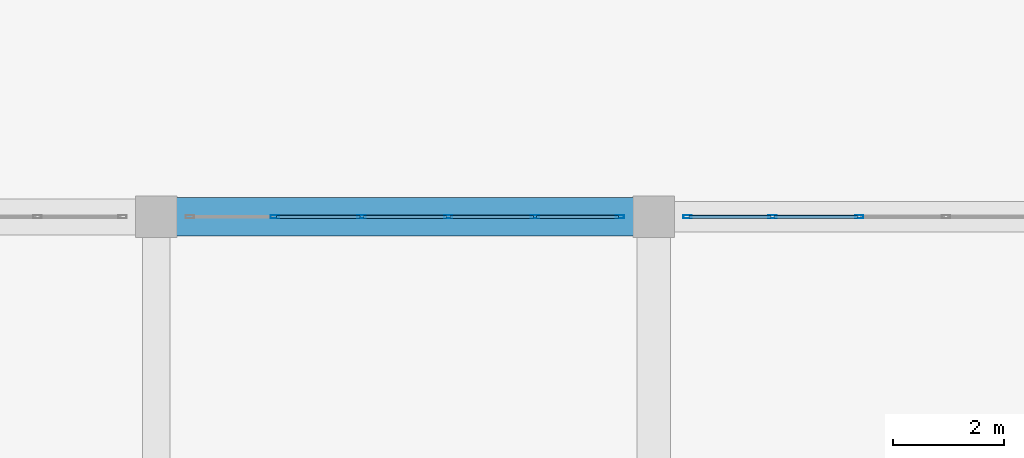
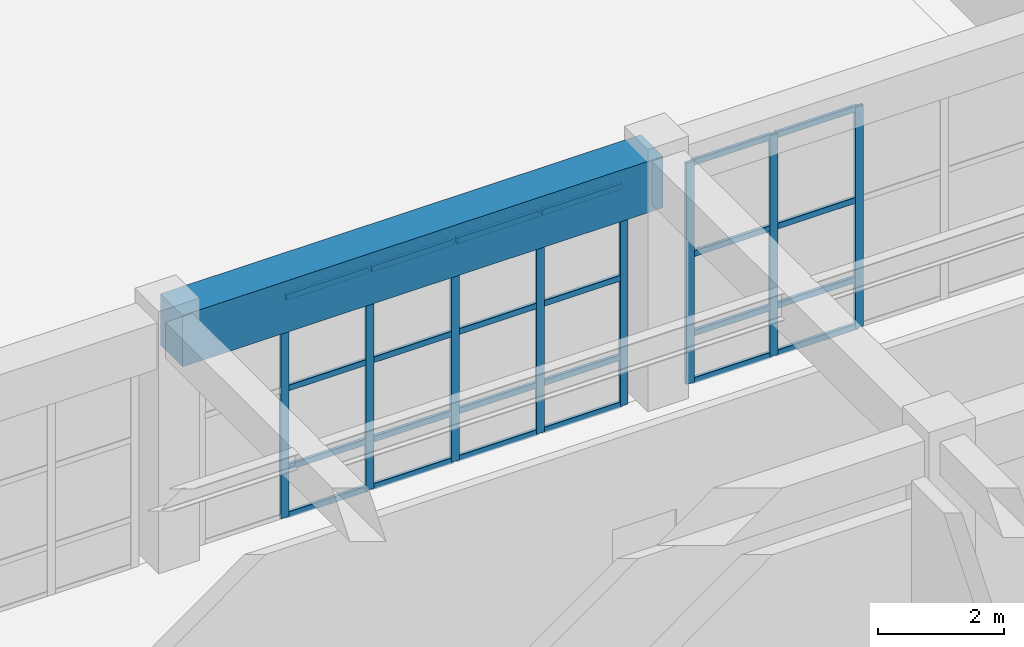
# One storey, part 78 of 128: 32 members, 1 beam, 2 elements without a shape of their own.
"""IFC4 building model written with IfcOpenShell, lengths in metres."""

from ifc_helpers import new_model, si_unit, direction, frame, origin, origin_2d, place, context, subcontext, project, spatial, rectangle, hollow_rectangle, extrude, material, material_profile, profile_set, type_object, element, aggregate, save


model = new_model("IFC4")

# Units and contexts
model_context = context("Model", 3, precision=1e-05, world=origin(), true_north=direction((0.0, 1.0)))
body_context = subcontext(model_context, "Body", "Model", "MODEL_VIEW")
ifc_project = project(units=[si_unit("LENGTHUNIT", "METRE"), si_unit("AREAUNIT", "SQUARE_METRE"), si_unit("VOLUMEUNIT", "CUBIC_METRE"), si_unit("PLANEANGLEUNIT", "RADIAN"), si_unit("MASSUNIT", "GRAM", prefix="KILO")], contexts=[model_context])

# Site, building, storey
site_placement = place(None, origin())
site = spatial("IfcSite", under=ifc_project, at=site_placement, CompositionType="ELEMENT")
building_placement = place(site_placement, origin())
building = spatial("IfcBuilding", under=site, at=building_placement, Name="Miravela Opera House", CompositionType="ELEMENT")
storey_placement = place(building_placement, origin())
storey = spatial("IfcBuildingStorey", under=building, at=storey_placement, Name="L00", CompositionType="ELEMENT", Elevation=0.0)

# Curtain wall, members
ifc_material_1 = material(Name="Anodised architectural bronze aluminium 6063-T6", Category="aluminium")
curtain_wall_type = type_object("IfcCurtainWallType", Name="ARC-CW-05", PredefinedType="NOTDEFINED", material=ifc_material_1)
curtain_wall_1_placement = place(storey_placement, origin())
curtain_wall_1 = element("IfcCurtainWall", 1, at=curtain_wall_1_placement, inside=storey, type_object=curtain_wall_type, Name="Courtyard Arcade Curtain Wall CW-L00-160", PredefinedType="NOTDEFINED")
ifc_material_profile_1 = material_profile(ifc_material_1, hollow_rectangle(XDim=0.06005859375, YDim=0.14990234375, WallThickness=0.00390625, InnerFilletRadius=0.001953125, OuterFilletRadius=0.00390625, at=origin_2d()), Name="CWM-60X150")
ifc_profile_set_1 = profile_set([ifc_material_profile_1])
member_type_1 = type_object("IfcMemberType", Name="ARC-CWM-150", PredefinedType="MULLION", material=ifc_profile_set_1)
member_1_placement = place(storey_placement, frame((128.14794921875, 84.0, 0.0), z_axis=(0.0, 0.0, 1.0), x_axis=(0.0, 1.0, 0.0)))
member_1 = element("IfcMember", 2, at=member_1_placement, type_object=member_type_1, Name="CW-05 mullion 2", PredefinedType="MULLION", context=body_context, shape_type="SweptSolid", body=[
    extrude(hollow_rectangle(XDim=0.06005859375, YDim=0.14990234375, WallThickness=0.00390625, InnerFilletRadius=0.001953125, OuterFilletRadius=0.00390625, at=origin_2d()), origin(), (0.0, 0.0, 1.0), 4.300048828125),
])
member_2_placement = place(storey_placement, frame((129.716064453125, 84.0, 0.0), z_axis=(0.0, 0.0, 1.0), x_axis=(0.0, 1.0, 0.0)))
member_2 = element("IfcMember", 3, at=member_2_placement, type_object=member_type_1, Name="CW-05 mullion 3", PredefinedType="MULLION", context=body_context, shape_type="SweptSolid", body=[
    extrude(hollow_rectangle(XDim=0.06005859375, YDim=0.14990234375, WallThickness=0.00390625, InnerFilletRadius=0.001953125, OuterFilletRadius=0.00390625, at=origin_2d()), origin(), (0.0, 0.0, 1.0), 4.300048828125),
])
member_3_placement = place(storey_placement, frame((131.283935546875, 84.0, 0.0), z_axis=(0.0, 0.0, 1.0), x_axis=(0.0, 1.0, 0.0)))
member_3 = element("IfcMember", 4, at=member_3_placement, type_object=member_type_1, Name="CW-05 mullion 4", PredefinedType="MULLION", context=body_context, shape_type="SweptSolid", body=[
    extrude(hollow_rectangle(XDim=0.06005859375, YDim=0.14990234375, WallThickness=0.00390625, InnerFilletRadius=0.001953125, OuterFilletRadius=0.00390625, at=origin_2d()), origin(), (0.0, 0.0, 1.0), 4.300048828125),
])
member_4_placement = place(storey_placement, frame((132.85205078125, 84.0, 0.0), z_axis=(0.0, 0.0, 1.0), x_axis=(0.0, 1.0, 0.0)))
member_4 = element("IfcMember", 5, at=member_4_placement, type_object=member_type_1, Name="CW-05 mullion 5", PredefinedType="MULLION", context=body_context, shape_type="SweptSolid", body=[
    extrude(hollow_rectangle(XDim=0.06005859375, YDim=0.14990234375, WallThickness=0.00390625, InnerFilletRadius=0.001953125, OuterFilletRadius=0.00390625, at=origin_2d()), origin(), (0.0, 0.0, 1.0), 4.300048828125),
])
member_5_placement = place(storey_placement, frame((134.389892578125, 84.0, 0.0), z_axis=(0.0, 0.0, 1.0), x_axis=(0.0, 1.0, 0.0)))
member_5 = element("IfcMember", 6, at=member_5_placement, type_object=member_type_1, Name="CW-05 mullion 6", PredefinedType="MULLION", context=body_context, shape_type="SweptSolid", body=[
    extrude(hollow_rectangle(XDim=0.06005859375, YDim=0.14990234375, WallThickness=0.00390625, InnerFilletRadius=0.001953125, OuterFilletRadius=0.00390625, at=origin_2d()), origin(), (0.0, 0.0, 1.0), 4.300048828125),
])

curtain_wall_2_placement = place(storey_placement, origin())
curtain_wall_2 = element("IfcCurtainWall", 7, at=curtain_wall_2_placement, inside=storey, type_object=curtain_wall_type, Name="Courtyard Arcade Curtain Wall CW-L00-164", PredefinedType="NOTDEFINED")
member_6_placement = place(storey_placement, frame((135.610107421875, 84.0, 0.0), z_axis=(0.0, 0.0, 1.0), x_axis=(0.0, 1.0, 0.0)))
member_6 = element("IfcMember", 8, at=member_6_placement, type_object=member_type_1, Name="CW-05 mullion 1", PredefinedType="MULLION", context=body_context, shape_type="SweptSolid", body=[
    extrude(hollow_rectangle(XDim=0.06005859375, YDim=0.14990234375, WallThickness=0.00390625, InnerFilletRadius=0.001953125, OuterFilletRadius=0.00390625, at=origin_2d()), origin(), (0.0, 0.0, 1.0), 4.300048828125),
])
member_7_placement = place(storey_placement, frame((137.14794921875, 84.0, 0.0), z_axis=(0.0, 0.0, 1.0), x_axis=(0.0, 1.0, 0.0)))
member_7 = element("IfcMember", 9, at=member_7_placement, type_object=member_type_1, Name="CW-05 mullion 2", PredefinedType="MULLION", context=body_context, shape_type="SweptSolid", body=[
    extrude(hollow_rectangle(XDim=0.06005859375, YDim=0.14990234375, WallThickness=0.00390625, InnerFilletRadius=0.001953125, OuterFilletRadius=0.00390625, at=origin_2d()), origin(), (0.0, 0.0, 1.0), 4.300048828125),
])
member_8_placement = place(storey_placement, frame((138.716064453125, 84.0, 0.0), z_axis=(0.0, 0.0, 1.0), x_axis=(0.0, 1.0, 0.0)))
member_8 = element("IfcMember", 10, at=member_8_placement, type_object=member_type_1, Name="CW-05 mullion 3", PredefinedType="MULLION", context=body_context, shape_type="SweptSolid", body=[
    extrude(hollow_rectangle(XDim=0.06005859375, YDim=0.14990234375, WallThickness=0.00390625, InnerFilletRadius=0.001953125, OuterFilletRadius=0.00390625, at=origin_2d()), origin(), (0.0, 0.0, 1.0), 4.300048828125),
])

# Member
ifc_material_profile_2 = material_profile(ifc_material_1, hollow_rectangle(XDim=0.06005859375, YDim=0.114990234375, WallThickness=0.00390625, InnerFilletRadius=0.001953125, OuterFilletRadius=0.00390625, at=origin_2d()), Name="CWT-60X115")
ifc_profile_set_2 = profile_set([ifc_material_profile_2])
member_type_2 = type_object("IfcMemberType", Name="ARC-CWT-115", PredefinedType="USERDEFINED", material=ifc_profile_set_2)
member_9_placement = place(storey_placement, frame((128.177978515625, 84.0, 0.030029296875), z_axis=(1.0, 0.0, 0.0), x_axis=(0.0, 1.0, 0.0)))
member_9 = element("IfcMember", 11, at=member_9_placement, type_object=member_type_2, Name="CW-05 transom 2.1", ObjectType="TRANSOM", PredefinedType="USERDEFINED", context=body_context, shape_type="SweptSolid", body=[
    extrude(hollow_rectangle(XDim=0.06005859375, YDim=0.114990234375, WallThickness=0.00390625, InnerFilletRadius=0.001953125, OuterFilletRadius=0.00390625, at=origin_2d()), origin(), (0.0, 0.0, 1.0), 1.508056640625),
])

member_10_placement = place(storey_placement, frame((128.177978515625, 84.0, 0.949951171875), z_axis=(1.0, 0.0, 0.0), x_axis=(0.0, 1.0, 0.0)))
member_10 = element("IfcMember", 12, at=member_10_placement, type_object=member_type_2, Name="CW-05 transom 2.2", ObjectType="TRANSOM", PredefinedType="USERDEFINED", context=body_context, shape_type="SweptSolid", body=[
    extrude(hollow_rectangle(XDim=0.06005859375, YDim=0.114990234375, WallThickness=0.00390625, InnerFilletRadius=0.001953125, OuterFilletRadius=0.00390625, at=origin_2d()), origin(), (0.0, 0.0, 1.0), 1.508056640625),
])

member_11_placement = place(storey_placement, frame((128.177978515625, 84.0, 2.493896484375), z_axis=(1.0, 0.0, 0.0), x_axis=(0.0, 1.0, 0.0)))
member_11 = element("IfcMember", 13, at=member_11_placement, type_object=member_type_2, Name="CW-05 transom 2.3", ObjectType="TRANSOM", PredefinedType="USERDEFINED", context=body_context, shape_type="SweptSolid", body=[
    extrude(hollow_rectangle(XDim=0.06005859375, YDim=0.114990234375, WallThickness=0.00390625, InnerFilletRadius=0.001953125, OuterFilletRadius=0.00390625, at=origin_2d()), origin(), (0.0, 0.0, 1.0), 1.508056640625),
])

member_12_placement = place(storey_placement, frame((128.177978515625, 84.0, 4.27001953125), z_axis=(1.0, 0.0, 0.0), x_axis=(0.0, 1.0, 0.0)))
member_12 = element("IfcMember", 14, at=member_12_placement, type_object=member_type_2, Name="CW-05 transom 2.4", ObjectType="TRANSOM", PredefinedType="USERDEFINED", context=body_context, shape_type="SweptSolid", body=[
    extrude(hollow_rectangle(XDim=0.06005859375, YDim=0.114990234375, WallThickness=0.00390625, InnerFilletRadius=0.001953125, OuterFilletRadius=0.00390625, at=origin_2d()), origin(), (0.0, 0.0, 1.0), 1.508056640625),
])

member_13_placement = place(storey_placement, frame((129.74609375, 84.0, 0.030029296875), z_axis=(1.0, 0.0, 0.0), x_axis=(0.0, 1.0, 0.0)))
member_13 = element("IfcMember", 15, at=member_13_placement, type_object=member_type_2, Name="CW-05 transom 3.1", ObjectType="TRANSOM", PredefinedType="USERDEFINED", context=body_context, shape_type="SweptSolid", body=[
    extrude(hollow_rectangle(XDim=0.06005859375, YDim=0.114990234375, WallThickness=0.00390625, InnerFilletRadius=0.001953125, OuterFilletRadius=0.00390625, at=origin_2d()), origin(), (0.0, 0.0, 1.0), 1.5078125),
])

member_14_placement = place(storey_placement, frame((129.74609375, 84.0, 0.949951171875), z_axis=(1.0, 0.0, 0.0), x_axis=(0.0, 1.0, 0.0)))
member_14 = element("IfcMember", 16, at=member_14_placement, type_object=member_type_2, Name="CW-05 transom 3.2", ObjectType="TRANSOM", PredefinedType="USERDEFINED", context=body_context, shape_type="SweptSolid", body=[
    extrude(hollow_rectangle(XDim=0.06005859375, YDim=0.114990234375, WallThickness=0.00390625, InnerFilletRadius=0.001953125, OuterFilletRadius=0.00390625, at=origin_2d()), origin(), (0.0, 0.0, 1.0), 1.5078125),
])

member_15_placement = place(storey_placement, frame((129.74609375, 84.0, 2.493896484375), z_axis=(1.0, 0.0, 0.0), x_axis=(0.0, 1.0, 0.0)))
member_15 = element("IfcMember", 17, at=member_15_placement, type_object=member_type_2, Name="CW-05 transom 3.3", ObjectType="TRANSOM", PredefinedType="USERDEFINED", context=body_context, shape_type="SweptSolid", body=[
    extrude(hollow_rectangle(XDim=0.06005859375, YDim=0.114990234375, WallThickness=0.00390625, InnerFilletRadius=0.001953125, OuterFilletRadius=0.00390625, at=origin_2d()), origin(), (0.0, 0.0, 1.0), 1.5078125),
])

member_16_placement = place(storey_placement, frame((129.74609375, 84.0, 4.27001953125), z_axis=(1.0, 0.0, 0.0), x_axis=(0.0, 1.0, 0.0)))
member_16 = element("IfcMember", 18, at=member_16_placement, type_object=member_type_2, Name="CW-05 transom 3.4", ObjectType="TRANSOM", PredefinedType="USERDEFINED", context=body_context, shape_type="SweptSolid", body=[
    extrude(hollow_rectangle(XDim=0.06005859375, YDim=0.114990234375, WallThickness=0.00390625, InnerFilletRadius=0.001953125, OuterFilletRadius=0.00390625, at=origin_2d()), origin(), (0.0, 0.0, 1.0), 1.5078125),
])

member_17_placement = place(storey_placement, frame((131.31396484375, 84.0, 0.030029296875), z_axis=(1.0, 0.0, 0.0), x_axis=(0.0, 1.0, 0.0)))
member_17 = element("IfcMember", 19, at=member_17_placement, type_object=member_type_2, Name="CW-05 transom 4.1", ObjectType="TRANSOM", PredefinedType="USERDEFINED", context=body_context, shape_type="SweptSolid", body=[
    extrude(hollow_rectangle(XDim=0.06005859375, YDim=0.114990234375, WallThickness=0.00390625, InnerFilletRadius=0.001953125, OuterFilletRadius=0.00390625, at=origin_2d()), origin(), (0.0, 0.0, 1.0), 1.508056640625),
])

member_18_placement = place(storey_placement, frame((131.31396484375, 84.0, 0.949951171875), z_axis=(1.0, 0.0, 0.0), x_axis=(0.0, 1.0, 0.0)))
member_18 = element("IfcMember", 20, at=member_18_placement, type_object=member_type_2, Name="CW-05 transom 4.2", ObjectType="TRANSOM", PredefinedType="USERDEFINED", context=body_context, shape_type="SweptSolid", body=[
    extrude(hollow_rectangle(XDim=0.06005859375, YDim=0.114990234375, WallThickness=0.00390625, InnerFilletRadius=0.001953125, OuterFilletRadius=0.00390625, at=origin_2d()), origin(), (0.0, 0.0, 1.0), 1.508056640625),
])

member_19_placement = place(storey_placement, frame((131.31396484375, 84.0, 2.493896484375), z_axis=(1.0, 0.0, 0.0), x_axis=(0.0, 1.0, 0.0)))
member_19 = element("IfcMember", 21, at=member_19_placement, type_object=member_type_2, Name="CW-05 transom 4.3", ObjectType="TRANSOM", PredefinedType="USERDEFINED", context=body_context, shape_type="SweptSolid", body=[
    extrude(hollow_rectangle(XDim=0.06005859375, YDim=0.114990234375, WallThickness=0.00390625, InnerFilletRadius=0.001953125, OuterFilletRadius=0.00390625, at=origin_2d()), origin(), (0.0, 0.0, 1.0), 1.508056640625),
])

member_20_placement = place(storey_placement, frame((131.31396484375, 84.0, 4.27001953125), z_axis=(1.0, 0.0, 0.0), x_axis=(0.0, 1.0, 0.0)))
member_20 = element("IfcMember", 22, at=member_20_placement, type_object=member_type_2, Name="CW-05 transom 4.4", ObjectType="TRANSOM", PredefinedType="USERDEFINED", context=body_context, shape_type="SweptSolid", body=[
    extrude(hollow_rectangle(XDim=0.06005859375, YDim=0.114990234375, WallThickness=0.00390625, InnerFilletRadius=0.001953125, OuterFilletRadius=0.00390625, at=origin_2d()), origin(), (0.0, 0.0, 1.0), 1.508056640625),
])

member_21_placement = place(storey_placement, frame((132.882080078125, 84.0, 0.030029296875), z_axis=(1.0, 0.0, 0.0), x_axis=(0.0, 1.0, 0.0)))
member_21 = element("IfcMember", 23, at=member_21_placement, type_object=member_type_2, Name="CW-05 transom 5.1", ObjectType="TRANSOM", PredefinedType="USERDEFINED", context=body_context, shape_type="SweptSolid", body=[
    extrude(hollow_rectangle(XDim=0.06005859375, YDim=0.114990234375, WallThickness=0.00390625, InnerFilletRadius=0.001953125, OuterFilletRadius=0.00390625, at=origin_2d()), origin(), (0.0, 0.0, 1.0), 1.47802734375),
])

member_22_placement = place(storey_placement, frame((132.882080078125, 84.0, 0.949951171875), z_axis=(1.0, 0.0, 0.0), x_axis=(0.0, 1.0, 0.0)))
member_22 = element("IfcMember", 24, at=member_22_placement, type_object=member_type_2, Name="CW-05 transom 5.2", ObjectType="TRANSOM", PredefinedType="USERDEFINED", context=body_context, shape_type="SweptSolid", body=[
    extrude(hollow_rectangle(XDim=0.06005859375, YDim=0.114990234375, WallThickness=0.00390625, InnerFilletRadius=0.001953125, OuterFilletRadius=0.00390625, at=origin_2d()), origin(), (0.0, 0.0, 1.0), 1.47802734375),
])

member_23_placement = place(storey_placement, frame((132.882080078125, 84.0, 2.493896484375), z_axis=(1.0, 0.0, 0.0), x_axis=(0.0, 1.0, 0.0)))
member_23 = element("IfcMember", 25, at=member_23_placement, type_object=member_type_2, Name="CW-05 transom 5.3", ObjectType="TRANSOM", PredefinedType="USERDEFINED", context=body_context, shape_type="SweptSolid", body=[
    extrude(hollow_rectangle(XDim=0.06005859375, YDim=0.114990234375, WallThickness=0.00390625, InnerFilletRadius=0.001953125, OuterFilletRadius=0.00390625, at=origin_2d()), origin(), (0.0, 0.0, 1.0), 1.47802734375),
])

member_24_placement = place(storey_placement, frame((132.882080078125, 84.0, 4.27001953125), z_axis=(1.0, 0.0, 0.0), x_axis=(0.0, 1.0, 0.0)))
member_24 = element("IfcMember", 26, at=member_24_placement, type_object=member_type_2, Name="CW-05 transom 5.4", ObjectType="TRANSOM", PredefinedType="USERDEFINED", context=body_context, shape_type="SweptSolid", body=[
    extrude(hollow_rectangle(XDim=0.06005859375, YDim=0.114990234375, WallThickness=0.00390625, InnerFilletRadius=0.001953125, OuterFilletRadius=0.00390625, at=origin_2d()), origin(), (0.0, 0.0, 1.0), 1.47802734375),
])

aggregate(curtain_wall_1, [member_1, member_2, member_3, member_4, member_5, member_9, member_10, member_11, member_12, member_13, member_14, member_15, member_16, member_17, member_18, member_19, member_20, member_21, member_22, member_23, member_24])

member_25_placement = place(storey_placement, frame((135.639892578125, 84.0, 0.030029296875), z_axis=(1.0, 0.0, 0.0), x_axis=(0.0, 1.0, 0.0)))
member_25 = element("IfcMember", 27, at=member_25_placement, type_object=member_type_2, Name="CW-05 transom 1.1", ObjectType="TRANSOM", PredefinedType="USERDEFINED", context=body_context, shape_type="SweptSolid", body=[
    extrude(hollow_rectangle(XDim=0.06005859375, YDim=0.114990234375, WallThickness=0.00390625, InnerFilletRadius=0.001953125, OuterFilletRadius=0.00390625, at=origin_2d()), origin(), (0.0, 0.0, 1.0), 1.47802734375),
])

member_26_placement = place(storey_placement, frame((135.639892578125, 84.0, 0.949951171875), z_axis=(1.0, 0.0, 0.0), x_axis=(0.0, 1.0, 0.0)))
member_26 = element("IfcMember", 28, at=member_26_placement, type_object=member_type_2, Name="CW-05 transom 1.2", ObjectType="TRANSOM", PredefinedType="USERDEFINED", context=body_context, shape_type="SweptSolid", body=[
    extrude(hollow_rectangle(XDim=0.06005859375, YDim=0.114990234375, WallThickness=0.00390625, InnerFilletRadius=0.001953125, OuterFilletRadius=0.00390625, at=origin_2d()), origin(), (0.0, 0.0, 1.0), 1.47802734375),
])

member_27_placement = place(storey_placement, frame((135.639892578125, 84.0, 2.493896484375), z_axis=(1.0, 0.0, 0.0), x_axis=(0.0, 1.0, 0.0)))
member_27 = element("IfcMember", 29, at=member_27_placement, type_object=member_type_2, Name="CW-05 transom 1.3", ObjectType="TRANSOM", PredefinedType="USERDEFINED", context=body_context, shape_type="SweptSolid", body=[
    extrude(hollow_rectangle(XDim=0.06005859375, YDim=0.114990234375, WallThickness=0.00390625, InnerFilletRadius=0.001953125, OuterFilletRadius=0.00390625, at=origin_2d()), origin(), (0.0, 0.0, 1.0), 1.47802734375),
])

member_28_placement = place(storey_placement, frame((135.639892578125, 84.0, 4.27001953125), z_axis=(1.0, 0.0, 0.0), x_axis=(0.0, 1.0, 0.0)))
member_28 = element("IfcMember", 30, at=member_28_placement, type_object=member_type_2, Name="CW-05 transom 1.4", ObjectType="TRANSOM", PredefinedType="USERDEFINED", context=body_context, shape_type="SweptSolid", body=[
    extrude(hollow_rectangle(XDim=0.06005859375, YDim=0.114990234375, WallThickness=0.00390625, InnerFilletRadius=0.001953125, OuterFilletRadius=0.00390625, at=origin_2d()), origin(), (0.0, 0.0, 1.0), 1.47802734375),
])

member_29_placement = place(storey_placement, frame((137.177978515625, 84.0, 0.030029296875), z_axis=(1.0, 0.0, 0.0), x_axis=(0.0, 1.0, 0.0)))
member_29 = element("IfcMember", 31, at=member_29_placement, type_object=member_type_2, Name="CW-05 transom 2.1", ObjectType="TRANSOM", PredefinedType="USERDEFINED", context=body_context, shape_type="SweptSolid", body=[
    extrude(hollow_rectangle(XDim=0.06005859375, YDim=0.114990234375, WallThickness=0.00390625, InnerFilletRadius=0.001953125, OuterFilletRadius=0.00390625, at=origin_2d()), origin(), (0.0, 0.0, 1.0), 1.508056640625),
])

member_30_placement = place(storey_placement, frame((137.177978515625, 84.0, 0.949951171875), z_axis=(1.0, 0.0, 0.0), x_axis=(0.0, 1.0, 0.0)))
member_30 = element("IfcMember", 32, at=member_30_placement, type_object=member_type_2, Name="CW-05 transom 2.2", ObjectType="TRANSOM", PredefinedType="USERDEFINED", context=body_context, shape_type="SweptSolid", body=[
    extrude(hollow_rectangle(XDim=0.06005859375, YDim=0.114990234375, WallThickness=0.00390625, InnerFilletRadius=0.001953125, OuterFilletRadius=0.00390625, at=origin_2d()), origin(), (0.0, 0.0, 1.0), 1.508056640625),
])

member_31_placement = place(storey_placement, frame((137.177978515625, 84.0, 2.493896484375), z_axis=(1.0, 0.0, 0.0), x_axis=(0.0, 1.0, 0.0)))
member_31 = element("IfcMember", 33, at=member_31_placement, type_object=member_type_2, Name="CW-05 transom 2.3", ObjectType="TRANSOM", PredefinedType="USERDEFINED", context=body_context, shape_type="SweptSolid", body=[
    extrude(hollow_rectangle(XDim=0.06005859375, YDim=0.114990234375, WallThickness=0.00390625, InnerFilletRadius=0.001953125, OuterFilletRadius=0.00390625, at=origin_2d()), origin(), (0.0, 0.0, 1.0), 1.508056640625),
])

member_32_placement = place(storey_placement, frame((137.177978515625, 84.0, 4.27001953125), z_axis=(1.0, 0.0, 0.0), x_axis=(0.0, 1.0, 0.0)))
member_32 = element("IfcMember", 34, at=member_32_placement, type_object=member_type_2, Name="CW-05 transom 2.4", ObjectType="TRANSOM", PredefinedType="USERDEFINED", context=body_context, shape_type="SweptSolid", body=[
    extrude(hollow_rectangle(XDim=0.06005859375, YDim=0.114990234375, WallThickness=0.00390625, InnerFilletRadius=0.001953125, OuterFilletRadius=0.00390625, at=origin_2d()), origin(), (0.0, 0.0, 1.0), 1.508056640625),
])

aggregate(curtain_wall_2, [member_6, member_7, member_8, member_25, member_26, member_27, member_28, member_29, member_30, member_31, member_32])

# Beam
ifc_material_2 = material(Name="Concrete C40/50", Category="concrete")
ifc_material_profile_3 = material_profile(ifc_material_2, rectangle(XDim=0.699951171875, YDim=1.0, at=origin_2d()), Name="RC-BM-700X1000")
ifc_profile_set_3 = profile_set([ifc_material_profile_3])
beam_type = type_object("IfcBeamType", Name="STR-BM-RC700X1000", PredefinedType="BEAM", material=ifc_profile_set_3)
beam_placement = place(storey_placement, frame((126.080078125, 84.0, 4.35009765625), z_axis=(1.0, 0.0, 0.0), x_axis=(0.0, 1.0, 0.0)))
element("IfcBeam", 35, at=beam_placement, inside=storey, type_object=beam_type, Name="Floor Girder L00 15-16/J", PredefinedType="BEAM", context=body_context, shape_type="SweptSolid", body=[
    extrude(rectangle(XDim=0.699951171875, YDim=1.0, at=origin_2d()), origin(), (0.0, 0.0, 1.0), 8.83984375),
])

save(model, "model.ifc")
